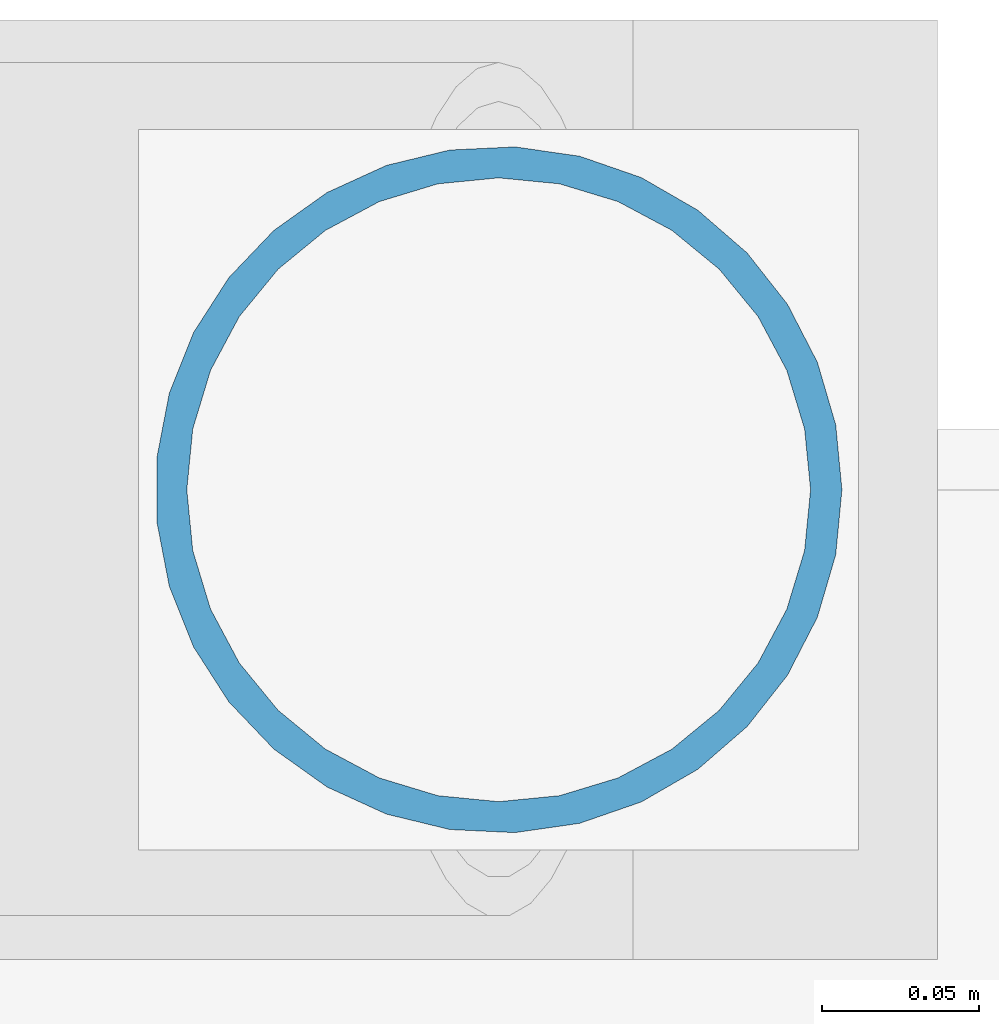
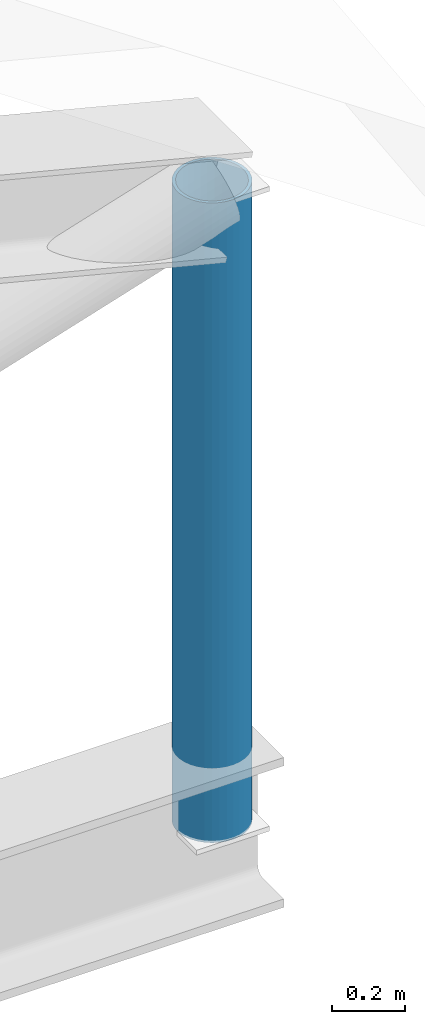
# One storey, part 39 of 56: 1 member.
"""IFC4 building model written with IfcOpenShell, lengths in metres."""

from ifc_helpers import new_model, si_unit, direction, frame, origin, origin_2d, place, context, subcontext, project, spatial, hollow_circle, extrude, material, material_profile, profile_set, type_object, element, save


model = new_model("IFC4")

# Units and contexts
model_context = context("Model", 3, precision=1e-05, world=origin(), true_north=direction((0.0, 1.0)))
body_context = subcontext(model_context, "Body", "Model", "MODEL_VIEW")
ifc_project = project(units=[si_unit("LENGTHUNIT", "METRE"), si_unit("AREAUNIT", "SQUARE_METRE"), si_unit("VOLUMEUNIT", "CUBIC_METRE"), si_unit("PLANEANGLEUNIT", "RADIAN"), si_unit("MASSUNIT", "GRAM", prefix="KILO")], contexts=[model_context])

# Site, building, storey
site_placement = place(None, origin())
site = spatial("IfcSite", under=ifc_project, at=site_placement, CompositionType="ELEMENT")
building_placement = place(site_placement, origin())
building = spatial("IfcBuilding", under=site, at=building_placement, Name="Bozkorgan Art Gallery", CompositionType="ELEMENT")
storey_placement = place(building_placement, frame((0.0, 0.0, 24.0)))
storey = spatial("IfcBuildingStorey", under=building, at=storey_placement, Name="L05", CompositionType="ELEMENT", Elevation=24.0)

# Member
ifc_material = material(Name="Steel S355J2", Category="steel")
ifc_material_profile = material_profile(ifc_material, hollow_circle(Radius=0.109619140625, WallThickness=0.010009765625, at=origin_2d()), Name="CHS 219.1x10")
ifc_profile_set = profile_set([ifc_material_profile], Name="Steel S355J2")
member_type = type_object("IfcMemberType", Name="MEMBER-TP-78", PredefinedType="POST", material=ifc_profile_set)
member_placement = place(storey_placement, frame((164.14990234375, 93.60009765625, 0.25), z_axis=(0.0, 0.0, 1.0), x_axis=(1.0, 0.0, 0.0)))
element("IfcMember", 1, at=member_placement, inside=storey, type_object=member_type, Name="ROOF-V5-MAIN roof truss 5 post 5", PredefinedType="POST", context=body_context, shape_type="SweptSolid", body=[
    extrude(hollow_circle(Radius=0.109619140625, WallThickness=0.010009765625, at=origin_2d()), origin(), (0.0, 0.0, 1.0), 2.133544921875),
])

save(model, "model.ifc")
